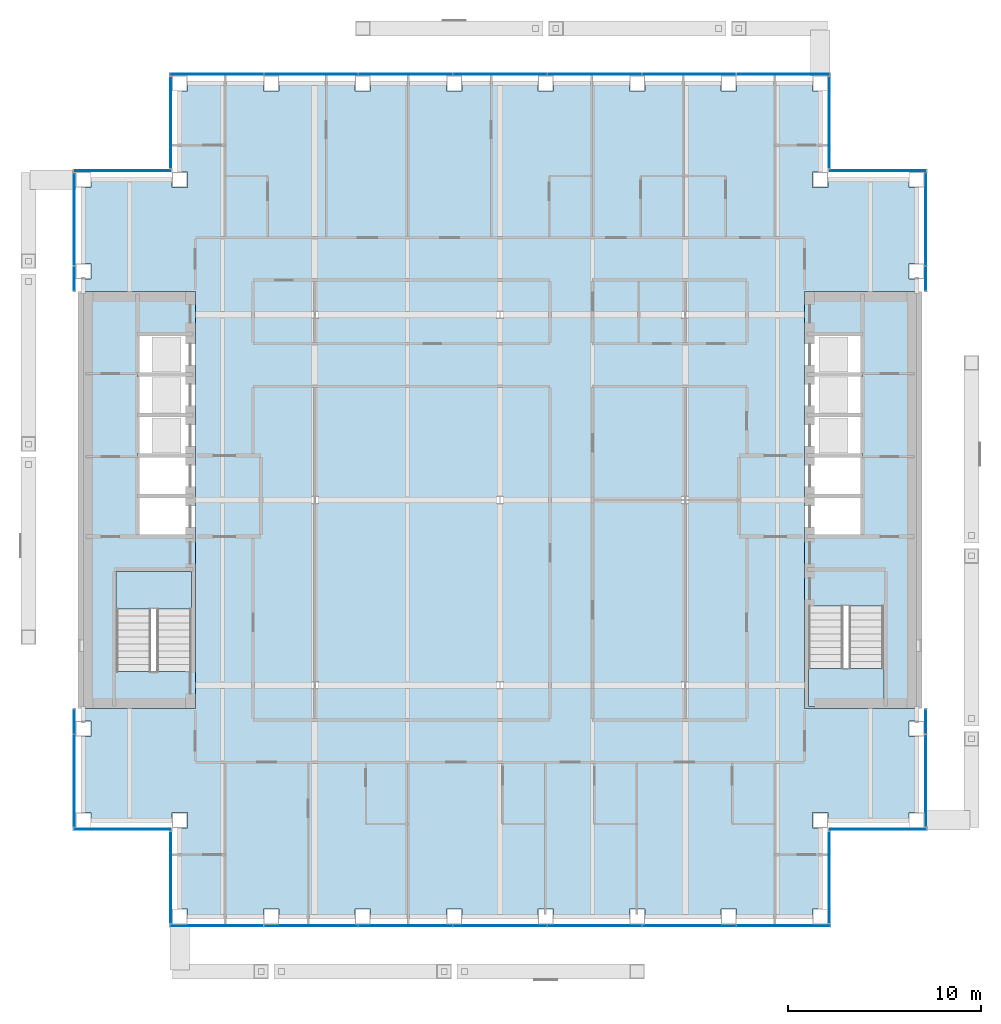
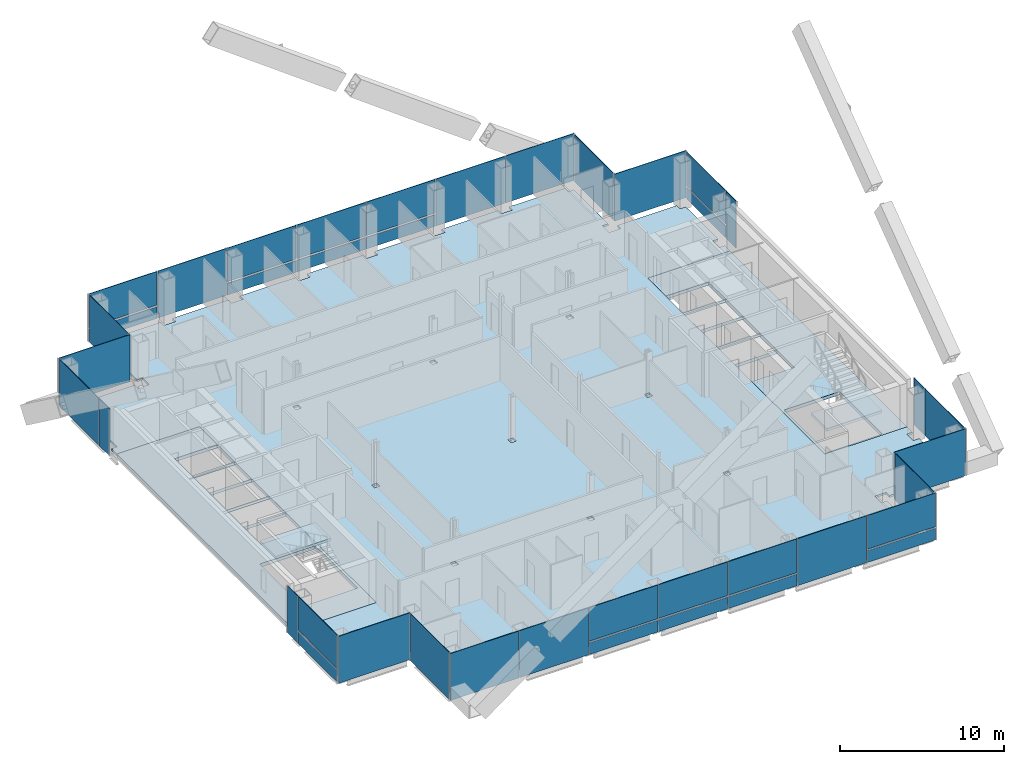
# One storey, part 11 of 18: 40 plates, 5 slabs, 16 elements without a shape of their own.
"""IFC4 building model written with IfcOpenShell, lengths in metres."""

from ifc_helpers import new_model, si_unit, direction, frame, origin, origin_2d, place, context, subcontext, project, spatial, polyline, rectangle, outline, extrude, material, layer, layer_set, type_object, element, aggregate, save


model = new_model("IFC4")

# Units and contexts
model_context = context("Model", 3, precision=1e-05, world=origin(), true_north=direction((0.0, 1.0)))
body_context = subcontext(model_context, "Body", "Model", "MODEL_VIEW")
ifc_project = project(units=[si_unit("LENGTHUNIT", "METRE"), si_unit("AREAUNIT", "SQUARE_METRE"), si_unit("VOLUMEUNIT", "CUBIC_METRE"), si_unit("PLANEANGLEUNIT", "RADIAN"), si_unit("MASSUNIT", "GRAM", prefix="KILO")], contexts=[model_context])

# Site, building, storey
site_placement = place(None, origin())
site = spatial("IfcSite", under=ifc_project, at=site_placement, CompositionType="ELEMENT")
building_placement = place(site_placement, origin())
building = spatial("IfcBuilding", under=site, at=building_placement, Name="Cobrizo Arcos Hotel Tower", CompositionType="ELEMENT")
storey_placement = place(building_placement, frame((0.0, 0.0, 158.5)))
storey = spatial("IfcBuildingStorey", under=building, at=storey_placement, Name="L40", CompositionType="ELEMENT", Elevation=158.5)

# Curtain wall, plates
ifc_material_1 = material(Name="Aluminium 6063-T6 anodised bronze", Category="aluminium")
curtain_wall_type = type_object("IfcCurtainWallType", Name="CW-A guest facade", PredefinedType="NOTDEFINED", material=ifc_material_1)
curtain_wall_1_placement = place(storey_placement, origin())
curtain_wall_1 = element("IfcCurtainWall", 1, at=curtain_wall_1_placement, inside=storey, type_object=curtain_wall_type, Name="CW-A L40 S face", PredefinedType="NOTDEFINED")
ifc_material_2 = material(Name="Glass clear laminated low-e", Category="glass")
ifc_layer_1 = layer(ifc_material_2, 0.0400390625)
ifc_layer_set_1 = layer_set([ifc_layer_1], Name="CW-A glass panel")
plate_type_1 = type_object("IfcPlateType", Name="CW-A glass panel", PredefinedType="CURTAIN_PANEL", material=ifc_layer_set_1)
plate_1_placement = place(storey_placement, frame((-4.89990234375, -22.074951171875, 0.990234375), z_axis=(0.0, 0.0, 1.0), x_axis=(1.0, 0.0, 0.0)))
plate_1 = element("IfcPlate", 2, at=plate_1_placement, type_object=plate_type_1, Name="CW-A glass panel 1428", PredefinedType="CURTAIN_PANEL", context=body_context, shape_type="SweptSolid", body=[
    extrude(rectangle(XDim=4.840087890625, YDim=0.0400390625, at=origin_2d()), origin(), (0.0, 0.0, 1.0), 2.510009765625),
])
plate_2_placement = place(storey_placement, frame((0.0, -22.074951171875, 0.990234375), z_axis=(0.0, 0.0, 1.0), x_axis=(1.0, 0.0, 0.0)))
plate_2 = element("IfcPlate", 3, at=plate_2_placement, type_object=plate_type_1, Name="CW-A glass panel 1429", PredefinedType="CURTAIN_PANEL", context=body_context, shape_type="SweptSolid", body=[
    extrude(rectangle(XDim=4.840087890625, YDim=0.0400390625, at=origin_2d()), origin(), (0.0, 0.0, 1.0), 2.510009765625),
])
plate_3_placement = place(storey_placement, frame((4.89990234375, -22.074951171875, 0.990234375), z_axis=(0.0, 0.0, 1.0), x_axis=(1.0, 0.0, 0.0)))
plate_3 = element("IfcPlate", 4, at=plate_3_placement, type_object=plate_type_1, Name="CW-A glass panel 1430", PredefinedType="CURTAIN_PANEL", context=body_context, shape_type="SweptSolid", body=[
    extrude(rectangle(XDim=4.840087890625, YDim=0.0400390625, at=origin_2d()), origin(), (0.0, 0.0, 1.0), 2.510009765625),
])
plate_4_placement = place(storey_placement, frame((14.68505859375, -22.074951171875, 0.990234375), z_axis=(0.0, 0.0, 1.0), x_axis=(1.0, 0.0, 0.0)))
plate_4 = element("IfcPlate", 5, at=plate_4_placement, type_object=plate_type_1, Name="CW-A glass panel 1432", PredefinedType="CURTAIN_PANEL", context=body_context, shape_type="SweptSolid", body=[
    extrude(rectangle(XDim=4.81005859375, YDim=0.0400390625, at=origin_2d()), origin(), (0.0, 0.0, 1.0), 2.510009765625),
])

# Curtain wall, plate
curtain_wall_2_placement = place(storey_placement, origin())
curtain_wall_2 = element("IfcCurtainWall", 6, at=curtain_wall_2_placement, inside=storey, type_object=curtain_wall_type, Name="CW-A L40 E face", PredefinedType="NOTDEFINED")
plate_5_placement = place(storey_placement, frame((22.074951171875, 14.556396484375, 0.990234375), z_axis=(0.0, 0.0, 1.0), x_axis=(0.0, 1.0, 0.0)))
plate_5 = element("IfcPlate", 7, at=plate_5_placement, type_object=plate_type_1, Name="CW-A glass panel 1438", PredefinedType="CURTAIN_PANEL", context=body_context, shape_type="SweptSolid", body=[
    extrude(rectangle(XDim=4.76708984375, YDim=0.0400390625, at=origin_2d()), origin(), (0.0, 0.0, 1.0), 2.510009765625),
])

# Curtain wall, plates
curtain_wall_3_placement = place(storey_placement, origin())
curtain_wall_3 = element("IfcCurtainWall", 8, at=curtain_wall_3_placement, inside=storey, type_object=curtain_wall_type, Name="CW-A L40 N face", PredefinedType="NOTDEFINED")
plate_6_placement = place(storey_placement, frame((4.89990234375, 22.074951171875, 0.990234375), z_axis=(0.0, 0.0, 1.0), x_axis=(-1.0, 0.0, 0.0)))
plate_6 = element("IfcPlate", 9, at=plate_6_placement, type_object=plate_type_1, Name="CW-A glass panel 1443", PredefinedType="CURTAIN_PANEL", context=body_context, shape_type="SweptSolid", body=[
    extrude(rectangle(XDim=4.840087890625, YDim=0.0400390625, at=origin_2d()), origin(), (0.0, 0.0, 1.0), 2.510009765625),
])
plate_7_placement = place(storey_placement, frame((0.0, 22.074951171875, 0.990234375), z_axis=(0.0, 0.0, 1.0), x_axis=(-1.0, 0.0, 0.0)))
plate_7 = element("IfcPlate", 10, at=plate_7_placement, type_object=plate_type_1, Name="CW-A glass panel 1444", PredefinedType="CURTAIN_PANEL", context=body_context, shape_type="SweptSolid", body=[
    extrude(rectangle(XDim=4.840087890625, YDim=0.0400390625, at=origin_2d()), origin(), (0.0, 0.0, 1.0), 2.510009765625),
])
plate_8_placement = place(storey_placement, frame((-4.89990234375, 22.074951171875, 0.990234375), z_axis=(0.0, 0.0, 1.0), x_axis=(-1.0, 0.0, 0.0)))
plate_8 = element("IfcPlate", 11, at=plate_8_placement, type_object=plate_type_1, Name="CW-A glass panel 1445", PredefinedType="CURTAIN_PANEL", context=body_context, shape_type="SweptSolid", body=[
    extrude(rectangle(XDim=4.840087890625, YDim=0.0400390625, at=origin_2d()), origin(), (0.0, 0.0, 1.0), 2.510009765625),
])
plate_9_placement = place(storey_placement, frame((-14.68505859375, 22.074951171875, 0.990234375), z_axis=(0.0, 0.0, 1.0), x_axis=(-1.0, 0.0, 0.0)))
plate_9 = element("IfcPlate", 12, at=plate_9_placement, type_object=plate_type_1, Name="CW-A glass panel 1447", PredefinedType="CURTAIN_PANEL", context=body_context, shape_type="SweptSolid", body=[
    extrude(rectangle(XDim=4.81005859375, YDim=0.0400390625, at=origin_2d()), origin(), (0.0, 0.0, 1.0), 2.510009765625),
])

# Curtain wall, plate
curtain_wall_4_placement = place(storey_placement, origin())
curtain_wall_4 = element("IfcCurtainWall", 13, at=curtain_wall_4_placement, inside=storey, type_object=curtain_wall_type, Name="CW-A L40 W face", PredefinedType="NOTDEFINED")
plate_10_placement = place(storey_placement, frame((-22.074951171875, -14.556396484375, 0.990234375), z_axis=(0.0, 0.0, 1.0), x_axis=(0.0, -1.0, 0.0)))
plate_10 = element("IfcPlate", 14, at=plate_10_placement, type_object=plate_type_1, Name="CW-A glass panel 1453", PredefinedType="CURTAIN_PANEL", context=body_context, shape_type="SweptSolid", body=[
    extrude(rectangle(XDim=4.76708984375, YDim=0.0400390625, at=origin_2d()), origin(), (0.0, 0.0, 1.0), 2.510009765625),
])

# Plate
ifc_material_3 = material(Name="Aluminium composite panel pale metal", Category="aluminium")
ifc_layer_2 = layer(ifc_material_3, 0.0400390625)
ifc_layer_set_2 = layer_set([ifc_layer_2], Name="CW-A spandrel panel")
plate_type_2 = type_object("IfcPlateType", Name="CW-A spandrel panel", PredefinedType="CURTAIN_PANEL", material=ifc_layer_set_2)
plate_11_placement = place(storey_placement, frame((-14.68505859375, -22.074951171875, 0.0), z_axis=(0.0, 0.0, 1.0), x_axis=(1.0, 0.0, 0.0)))
plate_11 = element("IfcPlate", 15, at=plate_11_placement, type_object=plate_type_2, Name="CW-A spandrel panel 1426", PredefinedType="CURTAIN_PANEL", context=body_context, shape_type="SweptSolid", body=[
    extrude(rectangle(XDim=4.81005859375, YDim=0.0400390625, at=origin_2d()), origin(), (0.0, 0.0, 1.0), 3.5),
])

plate_12_placement = place(storey_placement, frame((-9.800048828125, -22.074951171875, 0.0), z_axis=(0.0, 0.0, 1.0), x_axis=(1.0, 0.0, 0.0)))
plate_12 = element("IfcPlate", 16, at=plate_12_placement, type_object=plate_type_2, Name="CW-A spandrel panel 1427", PredefinedType="CURTAIN_PANEL", context=body_context, shape_type="SweptSolid", body=[
    extrude(rectangle(XDim=4.840087890625, YDim=0.0400390625, at=origin_2d()), origin(), (0.0, 0.0, 1.0), 3.5),
])

plate_13_placement = place(storey_placement, frame((-4.89990234375, -22.074951171875, 0.0), z_axis=(0.0, 0.0, 1.0), x_axis=(1.0, 0.0, 0.0)))
plate_13 = element("IfcPlate", 17, at=plate_13_placement, type_object=plate_type_2, Name="CW-A spandrel panel 1428", PredefinedType="CURTAIN_PANEL", context=body_context, shape_type="SweptSolid", body=[
    extrude(rectangle(XDim=4.840087890625, YDim=0.0400390625, at=origin_2d()), origin(), (0.0, 0.0, 1.0), 0.8701171875),
])

plate_14_placement = place(storey_placement, frame((0.0, -22.074951171875, 0.0), z_axis=(0.0, 0.0, 1.0), x_axis=(1.0, 0.0, 0.0)))
plate_14 = element("IfcPlate", 18, at=plate_14_placement, type_object=plate_type_2, Name="CW-A spandrel panel 1429", PredefinedType="CURTAIN_PANEL", context=body_context, shape_type="SweptSolid", body=[
    extrude(rectangle(XDim=4.840087890625, YDim=0.0400390625, at=origin_2d()), origin(), (0.0, 0.0, 1.0), 0.8701171875),
])

plate_15_placement = place(storey_placement, frame((4.89990234375, -22.074951171875, 0.0), z_axis=(0.0, 0.0, 1.0), x_axis=(1.0, 0.0, 0.0)))
plate_15 = element("IfcPlate", 19, at=plate_15_placement, type_object=plate_type_2, Name="CW-A spandrel panel 1430", PredefinedType="CURTAIN_PANEL", context=body_context, shape_type="SweptSolid", body=[
    extrude(rectangle(XDim=4.840087890625, YDim=0.0400390625, at=origin_2d()), origin(), (0.0, 0.0, 1.0), 0.8701171875),
])

plate_16_placement = place(storey_placement, frame((9.800048828125, -22.074951171875, 0.0), z_axis=(0.0, 0.0, 1.0), x_axis=(1.0, 0.0, 0.0)))
plate_16 = element("IfcPlate", 20, at=plate_16_placement, type_object=plate_type_2, Name="CW-A spandrel panel 1431", PredefinedType="CURTAIN_PANEL", context=body_context, shape_type="SweptSolid", body=[
    extrude(rectangle(XDim=4.840087890625, YDim=0.0400390625, at=origin_2d()), origin(), (0.0, 0.0, 1.0), 3.5),
])

plate_17_placement = place(storey_placement, frame((14.68505859375, -22.074951171875, 0.0), z_axis=(0.0, 0.0, 1.0), x_axis=(1.0, 0.0, 0.0)))
plate_17 = element("IfcPlate", 21, at=plate_17_placement, type_object=plate_type_2, Name="CW-A spandrel panel 1432", PredefinedType="CURTAIN_PANEL", context=body_context, shape_type="SweptSolid", body=[
    extrude(rectangle(XDim=4.81005859375, YDim=0.0400390625, at=origin_2d()), origin(), (0.0, 0.0, 1.0), 0.8701171875),
])

aggregate(curtain_wall_1, [plate_11, plate_12, plate_13, plate_1, plate_14, plate_2, plate_15, plate_3, plate_16, plate_17, plate_4])

# Curtain wall, plate
curtain_wall_5_placement = place(storey_placement, origin())
curtain_wall_5 = element("IfcCurtainWall", 22, at=curtain_wall_5_placement, inside=storey, type_object=curtain_wall_type, Name="CW-A L40 E face", PredefinedType="NOTDEFINED")
plate_18_placement = place(storey_placement, frame((17.074951171875, -19.574951171875, 0.0), z_axis=(0.0, 0.0, 1.0), x_axis=(0.0, 1.0, 0.0)))
plate_18 = element("IfcPlate", 23, at=plate_18_placement, type_object=plate_type_2, Name="CW-A spandrel panel 1433", PredefinedType="CURTAIN_PANEL", context=body_context, shape_type="SweptSolid", body=[
    extrude(rectangle(XDim=4.72998046875, YDim=0.0400390625, at=origin_2d()), origin(), (0.0, 0.0, 1.0), 3.5),
])
aggregate(curtain_wall_5, [plate_18])

curtain_wall_6_placement = place(storey_placement, origin())
curtain_wall_6 = element("IfcCurtainWall", 24, at=curtain_wall_6_placement, inside=storey, type_object=curtain_wall_type, Name="CW-A L40 S face", PredefinedType="NOTDEFINED")
plate_19_placement = place(storey_placement, frame((19.574951171875, -17.074951171875, 0.0), z_axis=(0.0, 0.0, 1.0), x_axis=(1.0, 0.0, 0.0)))
plate_19 = element("IfcPlate", 25, at=plate_19_placement, type_object=plate_type_2, Name="CW-A spandrel panel 1434", PredefinedType="CURTAIN_PANEL", context=body_context, shape_type="SweptSolid", body=[
    extrude(rectangle(XDim=5.030029296875, YDim=0.0400390625, at=origin_2d()), origin(), (0.0, 0.0, 1.0), 3.5),
])
aggregate(curtain_wall_6, [plate_19])

# Curtain wall, plates
curtain_wall_7_placement = place(storey_placement, origin())
curtain_wall_7 = element("IfcCurtainWall", 26, at=curtain_wall_7_placement, inside=storey, type_object=curtain_wall_type, Name="CW-A L40 E face", PredefinedType="NOTDEFINED")
plate_20_placement = place(storey_placement, frame((22.074951171875, -14.556396484375, 0.0), z_axis=(0.0, 0.0, 1.0), x_axis=(0.0, 1.0, 0.0)))
plate_20 = element("IfcPlate", 27, at=plate_20_placement, type_object=plate_type_2, Name="CW-A spandrel panel 1435", PredefinedType="CURTAIN_PANEL", context=body_context, shape_type="SweptSolid", body=[
    extrude(rectangle(XDim=4.76708984375, YDim=0.0400390625, at=origin_2d()), origin(), (0.0, 0.0, 1.0), 3.5),
])
plate_21_placement = place(storey_placement, frame((22.074951171875, -11.486328125, 0.0), z_axis=(0.0, 0.0, 1.0), x_axis=(0.0, 1.0, 0.0)))
plate_21 = element("IfcPlate", 28, at=plate_21_placement, type_object=plate_type_2, Name="CW-A spandrel panel 1436", PredefinedType="CURTAIN_PANEL", context=body_context, shape_type="SweptSolid", body=[
    extrude(rectangle(XDim=1.2529296875, YDim=0.0400390625, at=origin_2d()), origin(), (0.0, 0.0, 1.0), 3.5),
])
aggregate(curtain_wall_7, [plate_20, plate_21])

# Plate
plate_22_placement = place(storey_placement, frame((22.074951171875, 11.486328125, 0.0), z_axis=(0.0, 0.0, 1.0), x_axis=(0.0, 1.0, 0.0)))
plate_22 = element("IfcPlate", 29, at=plate_22_placement, type_object=plate_type_2, Name="CW-A spandrel panel 1437", PredefinedType="CURTAIN_PANEL", context=body_context, shape_type="SweptSolid", body=[
    extrude(rectangle(XDim=1.2529296875, YDim=0.0400390625, at=origin_2d()), origin(), (0.0, 0.0, 1.0), 3.5),
])

plate_23_placement = place(storey_placement, frame((22.074951171875, 14.556396484375, 0.0), z_axis=(0.0, 0.0, 1.0), x_axis=(0.0, 1.0, 0.0)))
plate_23 = element("IfcPlate", 30, at=plate_23_placement, type_object=plate_type_2, Name="CW-A spandrel panel 1438", PredefinedType="CURTAIN_PANEL", context=body_context, shape_type="SweptSolid", body=[
    extrude(rectangle(XDim=4.76708984375, YDim=0.0400390625, at=origin_2d()), origin(), (0.0, 0.0, 1.0), 0.8701171875),
])

aggregate(curtain_wall_2, [plate_22, plate_23, plate_5])

# Curtain wall, plate
curtain_wall_8_placement = place(storey_placement, origin())
curtain_wall_8 = element("IfcCurtainWall", 31, at=curtain_wall_8_placement, inside=storey, type_object=curtain_wall_type, Name="CW-A L40 N face", PredefinedType="NOTDEFINED")
plate_24_placement = place(storey_placement, frame((19.574951171875, 17.074951171875, 0.0), z_axis=(0.0, 0.0, 1.0), x_axis=(-1.0, 0.0, 0.0)))
plate_24 = element("IfcPlate", 32, at=plate_24_placement, type_object=plate_type_2, Name="CW-A spandrel panel 1439", PredefinedType="CURTAIN_PANEL", context=body_context, shape_type="SweptSolid", body=[
    extrude(rectangle(XDim=5.030029296875, YDim=0.0400390625, at=origin_2d()), origin(), (0.0, 0.0, 1.0), 3.5),
])
aggregate(curtain_wall_8, [plate_24])

curtain_wall_9_placement = place(storey_placement, origin())
curtain_wall_9 = element("IfcCurtainWall", 33, at=curtain_wall_9_placement, inside=storey, type_object=curtain_wall_type, Name="CW-A L40 E face", PredefinedType="NOTDEFINED")
plate_25_placement = place(storey_placement, frame((17.074951171875, 19.574951171875, 0.0), z_axis=(0.0, 0.0, 1.0), x_axis=(0.0, 1.0, 0.0)))
plate_25 = element("IfcPlate", 34, at=plate_25_placement, type_object=plate_type_2, Name="CW-A spandrel panel 1440", PredefinedType="CURTAIN_PANEL", context=body_context, shape_type="SweptSolid", body=[
    extrude(rectangle(XDim=4.72998046875, YDim=0.0400390625, at=origin_2d()), origin(), (0.0, 0.0, 1.0), 3.5),
])
aggregate(curtain_wall_9, [plate_25])

# Plate
plate_26_placement = place(storey_placement, frame((14.68505859375, 22.074951171875, 0.0), z_axis=(0.0, 0.0, 1.0), x_axis=(-1.0, 0.0, 0.0)))
plate_26 = element("IfcPlate", 35, at=plate_26_placement, type_object=plate_type_2, Name="CW-A spandrel panel 1441", PredefinedType="CURTAIN_PANEL", context=body_context, shape_type="SweptSolid", body=[
    extrude(rectangle(XDim=4.81005859375, YDim=0.0400390625, at=origin_2d()), origin(), (0.0, 0.0, 1.0), 3.5),
])

plate_27_placement = place(storey_placement, frame((9.800048828125, 22.074951171875, 0.0), z_axis=(0.0, 0.0, 1.0), x_axis=(-1.0, 0.0, 0.0)))
plate_27 = element("IfcPlate", 36, at=plate_27_placement, type_object=plate_type_2, Name="CW-A spandrel panel 1442", PredefinedType="CURTAIN_PANEL", context=body_context, shape_type="SweptSolid", body=[
    extrude(rectangle(XDim=4.840087890625, YDim=0.0400390625, at=origin_2d()), origin(), (0.0, 0.0, 1.0), 3.5),
])

plate_28_placement = place(storey_placement, frame((4.89990234375, 22.074951171875, 0.0), z_axis=(0.0, 0.0, 1.0), x_axis=(-1.0, 0.0, 0.0)))
plate_28 = element("IfcPlate", 37, at=plate_28_placement, type_object=plate_type_2, Name="CW-A spandrel panel 1443", PredefinedType="CURTAIN_PANEL", context=body_context, shape_type="SweptSolid", body=[
    extrude(rectangle(XDim=4.840087890625, YDim=0.0400390625, at=origin_2d()), origin(), (0.0, 0.0, 1.0), 0.8701171875),
])

plate_29_placement = place(storey_placement, frame((0.0, 22.074951171875, 0.0), z_axis=(0.0, 0.0, 1.0), x_axis=(-1.0, 0.0, 0.0)))
plate_29 = element("IfcPlate", 38, at=plate_29_placement, type_object=plate_type_2, Name="CW-A spandrel panel 1444", PredefinedType="CURTAIN_PANEL", context=body_context, shape_type="SweptSolid", body=[
    extrude(rectangle(XDim=4.840087890625, YDim=0.0400390625, at=origin_2d()), origin(), (0.0, 0.0, 1.0), 0.8701171875),
])

plate_30_placement = place(storey_placement, frame((-4.89990234375, 22.074951171875, 0.0), z_axis=(0.0, 0.0, 1.0), x_axis=(-1.0, 0.0, 0.0)))
plate_30 = element("IfcPlate", 39, at=plate_30_placement, type_object=plate_type_2, Name="CW-A spandrel panel 1445", PredefinedType="CURTAIN_PANEL", context=body_context, shape_type="SweptSolid", body=[
    extrude(rectangle(XDim=4.840087890625, YDim=0.0400390625, at=origin_2d()), origin(), (0.0, 0.0, 1.0), 0.8701171875),
])

plate_31_placement = place(storey_placement, frame((-9.800048828125, 22.074951171875, 0.0), z_axis=(0.0, 0.0, 1.0), x_axis=(-1.0, 0.0, 0.0)))
plate_31 = element("IfcPlate", 40, at=plate_31_placement, type_object=plate_type_2, Name="CW-A spandrel panel 1446", PredefinedType="CURTAIN_PANEL", context=body_context, shape_type="SweptSolid", body=[
    extrude(rectangle(XDim=4.840087890625, YDim=0.0400390625, at=origin_2d()), origin(), (0.0, 0.0, 1.0), 3.5),
])

plate_32_placement = place(storey_placement, frame((-14.68505859375, 22.074951171875, 0.0), z_axis=(0.0, 0.0, 1.0), x_axis=(-1.0, 0.0, 0.0)))
plate_32 = element("IfcPlate", 41, at=plate_32_placement, type_object=plate_type_2, Name="CW-A spandrel panel 1447", PredefinedType="CURTAIN_PANEL", context=body_context, shape_type="SweptSolid", body=[
    extrude(rectangle(XDim=4.81005859375, YDim=0.0400390625, at=origin_2d()), origin(), (0.0, 0.0, 1.0), 0.8701171875),
])

aggregate(curtain_wall_3, [plate_26, plate_27, plate_28, plate_6, plate_29, plate_7, plate_30, plate_8, plate_31, plate_32, plate_9])

# Curtain wall, plate
curtain_wall_10_placement = place(storey_placement, origin())
curtain_wall_10 = element("IfcCurtainWall", 42, at=curtain_wall_10_placement, inside=storey, type_object=curtain_wall_type, Name="CW-A L40 W face", PredefinedType="NOTDEFINED")
plate_33_placement = place(storey_placement, frame((-17.074951171875, 19.574951171875, 0.0), z_axis=(0.0, 0.0, 1.0), x_axis=(0.0, -1.0, 0.0)))
plate_33 = element("IfcPlate", 43, at=plate_33_placement, type_object=plate_type_2, Name="CW-A spandrel panel 1448", PredefinedType="CURTAIN_PANEL", context=body_context, shape_type="SweptSolid", body=[
    extrude(rectangle(XDim=4.72998046875, YDim=0.0400390625, at=origin_2d()), origin(), (0.0, 0.0, 1.0), 3.5),
])
aggregate(curtain_wall_10, [plate_33])

curtain_wall_11_placement = place(storey_placement, origin())
curtain_wall_11 = element("IfcCurtainWall", 44, at=curtain_wall_11_placement, inside=storey, type_object=curtain_wall_type, Name="CW-A L40 N face", PredefinedType="NOTDEFINED")
plate_34_placement = place(storey_placement, frame((-19.574951171875, 17.074951171875, 0.0), z_axis=(0.0, 0.0, 1.0), x_axis=(-1.0, 0.0, 0.0)))
plate_34 = element("IfcPlate", 45, at=plate_34_placement, type_object=plate_type_2, Name="CW-A spandrel panel 1449", PredefinedType="CURTAIN_PANEL", context=body_context, shape_type="SweptSolid", body=[
    extrude(rectangle(XDim=5.030029296875, YDim=0.0400390625, at=origin_2d()), origin(), (0.0, 0.0, 1.0), 3.5),
])
aggregate(curtain_wall_11, [plate_34])

# Curtain wall, plates
curtain_wall_12_placement = place(storey_placement, origin())
curtain_wall_12 = element("IfcCurtainWall", 46, at=curtain_wall_12_placement, inside=storey, type_object=curtain_wall_type, Name="CW-A L40 W face", PredefinedType="NOTDEFINED")
plate_35_placement = place(storey_placement, frame((-22.074951171875, 14.556396484375, 0.0), z_axis=(0.0, 0.0, 1.0), x_axis=(0.0, -1.0, 0.0)))
plate_35 = element("IfcPlate", 47, at=plate_35_placement, type_object=plate_type_2, Name="CW-A spandrel panel 1450", PredefinedType="CURTAIN_PANEL", context=body_context, shape_type="SweptSolid", body=[
    extrude(rectangle(XDim=4.76708984375, YDim=0.0400390625, at=origin_2d()), origin(), (0.0, 0.0, 1.0), 3.5),
])
plate_36_placement = place(storey_placement, frame((-22.074951171875, 11.486328125, 0.0), z_axis=(0.0, 0.0, 1.0), x_axis=(0.0, -1.0, 0.0)))
plate_36 = element("IfcPlate", 48, at=plate_36_placement, type_object=plate_type_2, Name="CW-A spandrel panel 1451", PredefinedType="CURTAIN_PANEL", context=body_context, shape_type="SweptSolid", body=[
    extrude(rectangle(XDim=1.2529296875, YDim=0.0400390625, at=origin_2d()), origin(), (0.0, 0.0, 1.0), 3.5),
])
aggregate(curtain_wall_12, [plate_35, plate_36])

# Plate
plate_37_placement = place(storey_placement, frame((-22.074951171875, -11.486328125, 0.0), z_axis=(0.0, 0.0, 1.0), x_axis=(0.0, -1.0, 0.0)))
plate_37 = element("IfcPlate", 49, at=plate_37_placement, type_object=plate_type_2, Name="CW-A spandrel panel 1452", PredefinedType="CURTAIN_PANEL", context=body_context, shape_type="SweptSolid", body=[
    extrude(rectangle(XDim=1.2529296875, YDim=0.0400390625, at=origin_2d()), origin(), (0.0, 0.0, 1.0), 3.5),
])

plate_38_placement = place(storey_placement, frame((-22.074951171875, -14.556396484375, 0.0), z_axis=(0.0, 0.0, 1.0), x_axis=(0.0, -1.0, 0.0)))
plate_38 = element("IfcPlate", 50, at=plate_38_placement, type_object=plate_type_2, Name="CW-A spandrel panel 1453", PredefinedType="CURTAIN_PANEL", context=body_context, shape_type="SweptSolid", body=[
    extrude(rectangle(XDim=4.76708984375, YDim=0.0400390625, at=origin_2d()), origin(), (0.0, 0.0, 1.0), 0.8701171875),
])

aggregate(curtain_wall_4, [plate_37, plate_38, plate_10])

# Curtain wall, plate
curtain_wall_13_placement = place(storey_placement, origin())
curtain_wall_13 = element("IfcCurtainWall", 51, at=curtain_wall_13_placement, inside=storey, type_object=curtain_wall_type, Name="CW-A L40 S face", PredefinedType="NOTDEFINED")
plate_39_placement = place(storey_placement, frame((-19.574951171875, -17.074951171875, 0.0), z_axis=(0.0, 0.0, 1.0), x_axis=(1.0, 0.0, 0.0)))
plate_39 = element("IfcPlate", 52, at=plate_39_placement, type_object=plate_type_2, Name="CW-A spandrel panel 1454", PredefinedType="CURTAIN_PANEL", context=body_context, shape_type="SweptSolid", body=[
    extrude(rectangle(XDim=5.030029296875, YDim=0.0400390625, at=origin_2d()), origin(), (0.0, 0.0, 1.0), 3.5),
])
aggregate(curtain_wall_13, [plate_39])

curtain_wall_14_placement = place(storey_placement, origin())
curtain_wall_14 = element("IfcCurtainWall", 53, at=curtain_wall_14_placement, inside=storey, type_object=curtain_wall_type, Name="CW-A L40 W face", PredefinedType="NOTDEFINED")
plate_40_placement = place(storey_placement, frame((-17.074951171875, -19.574951171875, 0.0), z_axis=(0.0, 0.0, 1.0), x_axis=(0.0, -1.0, 0.0)))
plate_40 = element("IfcPlate", 54, at=plate_40_placement, type_object=plate_type_2, Name="CW-A spandrel panel 1455", PredefinedType="CURTAIN_PANEL", context=body_context, shape_type="SweptSolid", body=[
    extrude(rectangle(XDim=4.72998046875, YDim=0.0400390625, at=origin_2d()), origin(), (0.0, 0.0, 1.0), 3.5),
])
aggregate(curtain_wall_14, [plate_40])

# Slabs
ifc_material_4 = material(Name="Concrete f'c 35 MPa", Category="concrete")
ifc_layer_3 = layer(ifc_material_4, 0.14990234375)
ifc_layer_set_3 = layer_set([ifc_layer_3], Name="Composite floor slab 150 f'c 35")
slab_type_1 = type_object("IfcSlabType", Name="Composite floor slab 150 f'c 35", PredefinedType="FLOOR", material=ifc_layer_set_3)
slab_1_placement = place(storey_placement, frame((0.0, 0.0, -0.14990234375)))
element("IfcSlab", 55, at=slab_1_placement, inside=storey, type_object=slab_type_1, Name="Floor slab S5, L40, no. 01", PredefinedType="FLOOR", context=body_context, shape_type="SweptSolid", body=[
    extrude(outline(polyline([(-16.199951171875, -21.60009765625), (-16.199951171875, -21.199951171875), (-16.60009765625, -21.199951171875), (-16.60009765625, -17.0), (-16.199951171875, -17.0), (-16.199951171875, -16.199951171875), (-17.0, -16.199951171875), (-17.0, -16.60009765625), (-21.199951171875, -16.60009765625), (-21.199951171875, -16.199951171875), (-21.60009765625, -16.199951171875), (-21.60009765625, -12.257080078125), (-21.199951171875, -12.257080078125), (-21.199951171875, -11.45703125), (-21.60009765625, -11.45703125), (-21.60009765625, -10.800048828125), (-15.800048828125, -10.800048828125), (-15.800048828125, 10.800048828125), (-21.60009765625, 10.800048828125), (-21.60009765625, 11.45703125), (-21.199951171875, 11.45703125), (-21.199951171875, 12.257080078125), (-21.60009765625, 12.257080078125), (-21.60009765625, 16.199951171875), (-21.199951171875, 16.199951171875), (-21.199951171875, 16.60009765625), (-17.0, 16.60009765625), (-17.0, 16.199951171875), (-16.199951171875, 16.199951171875), (-16.199951171875, 17.0), (-16.60009765625, 17.0), (-16.60009765625, 21.199951171875), (-16.199951171875, 21.199951171875), (-16.199951171875, 21.60009765625), (-12.257080078125, 21.60009765625), (-12.257080078125, 21.199951171875), (-11.45703125, 21.199951171875), (-11.45703125, 21.60009765625), (-7.513916015625, 21.60009765625), (-7.513916015625, 21.199951171875), (-6.714111328125, 21.199951171875), (-6.714111328125, 21.60009765625), (-2.77099609375, 21.60009765625), (-2.77099609375, 21.199951171875), (-1.970947265625, 21.199951171875), (-1.970947265625, 21.60009765625), (1.970947265625, 21.60009765625), (1.970947265625, 21.199951171875), (2.77099609375, 21.199951171875), (2.77099609375, 21.60009765625), (6.714111328125, 21.60009765625), (6.714111328125, 21.199951171875), (7.513916015625, 21.199951171875), (7.513916015625, 21.60009765625), (11.45703125, 21.60009765625), (11.45703125, 21.199951171875), (12.257080078125, 21.199951171875), (12.257080078125, 21.60009765625), (16.199951171875, 21.60009765625), (16.199951171875, 21.199951171875), (16.60009765625, 21.199951171875), (16.60009765625, 17.0), (16.199951171875, 17.0), (16.199951171875, 16.199951171875), (17.0, 16.199951171875), (17.0, 16.60009765625), (21.199951171875, 16.60009765625), (21.199951171875, 16.199951171875), (21.60009765625, 16.199951171875), (21.60009765625, 12.257080078125), (21.199951171875, 12.257080078125), (21.199951171875, 11.45703125), (21.60009765625, 11.45703125), (21.60009765625, 10.800048828125), (15.800048828125, 10.800048828125), (15.800048828125, -10.800048828125), (21.60009765625, -10.800048828125), (21.60009765625, -11.45703125), (21.199951171875, -11.45703125), (21.199951171875, -12.257080078125), (21.60009765625, -12.257080078125), (21.60009765625, -16.199951171875), (21.199951171875, -16.199951171875), (21.199951171875, -16.60009765625), (17.0, -16.60009765625), (17.0, -16.199951171875), (16.199951171875, -16.199951171875), (16.199951171875, -17.0), (16.60009765625, -17.0), (16.60009765625, -21.199951171875), (16.199951171875, -21.199951171875), (16.199951171875, -21.60009765625), (12.257080078125, -21.60009765625), (12.257080078125, -21.199951171875), (11.45703125, -21.199951171875), (11.45703125, -21.60009765625), (7.513916015625, -21.60009765625), (7.513916015625, -21.199951171875), (6.714111328125, -21.199951171875), (6.714111328125, -21.60009765625), (2.77099609375, -21.60009765625), (2.77099609375, -21.199951171875), (1.970947265625, -21.199951171875), (1.970947265625, -21.60009765625), (-1.970947265625, -21.60009765625), (-1.970947265625, -21.199951171875), (-2.77099609375, -21.199951171875), (-2.77099609375, -21.60009765625), (-6.714111328125, -21.60009765625), (-6.714111328125, -21.199951171875), (-7.513916015625, -21.199951171875), (-7.513916015625, -21.60009765625), (-11.45703125, -21.60009765625), (-11.45703125, -21.199951171875), (-12.257080078125, -21.199951171875), (-12.257080078125, -21.60009765625), (-16.199951171875, -21.60009765625)]), holes=[polyline([(-0.186767578125, -9.78662109375), (0.186767578125, -9.78662109375), (0.186767578125, -9.413330078125), (-0.186767578125, -9.413330078125), (-0.186767578125, -9.78662109375)]), polyline([(-9.78662109375, -9.78662109375), (-9.413330078125, -9.78662109375), (-9.413330078125, -9.413330078125), (-9.78662109375, -9.413330078125), (-9.78662109375, -9.78662109375)]), polyline([(-9.413330078125, -0.186767578125), (-9.413330078125, 0.186767578125), (-9.78662109375, 0.186767578125), (-9.78662109375, -0.186767578125), (-9.413330078125, -0.186767578125)]), polyline([(0.186767578125, -0.186767578125), (0.186767578125, 0.186767578125), (-0.186767578125, 0.186767578125), (-0.186767578125, -0.186767578125), (0.186767578125, -0.186767578125)]), polyline([(-9.78662109375, 9.413330078125), (-9.413330078125, 9.413330078125), (-9.413330078125, 9.78662109375), (-9.78662109375, 9.78662109375), (-9.78662109375, 9.413330078125)]), polyline([(9.413330078125, -9.78662109375), (9.78662109375, -9.78662109375), (9.78662109375, -9.413330078125), (9.413330078125, -9.413330078125), (9.413330078125, -9.78662109375)]), polyline([(9.413330078125, -0.186767578125), (9.78662109375, -0.186767578125), (9.78662109375, 0.186767578125), (9.413330078125, 0.186767578125), (9.413330078125, -0.186767578125)]), polyline([(9.78662109375, 9.413330078125), (9.78662109375, 9.78662109375), (9.413330078125, 9.78662109375), (9.413330078125, 9.413330078125), (9.78662109375, 9.413330078125)]), polyline([(0.186767578125, 9.413330078125), (0.186767578125, 9.78662109375), (-0.186767578125, 9.78662109375), (-0.186767578125, 9.413330078125), (0.186767578125, 9.413330078125)])]), origin(), (0.0, 0.0, 1.0), 0.14990234375),
])
ifc_material_5 = material(Name="Concrete f'c 50 MPa", Category="concrete")
ifc_layer_4 = layer(ifc_material_5, 0.25)
ifc_layer_set_4 = layer_set([ifc_layer_4], Name="RC core floor slab 250 f'c 50")
slab_type_2 = type_object("IfcSlabType", Name="RC core floor slab 250 f'c 50", PredefinedType="FLOOR", material=ifc_layer_set_4)
slab_2_placement = place(storey_placement, frame((0.0, 0.0, -0.25)))
element("IfcSlab", 56, at=slab_2_placement, inside=storey, type_object=slab_type_2, Name="Core floor slab CS5, east core, L40", PredefinedType="FLOOR", context=body_context, shape_type="SweptSolid", body=[
    extrude(outline(polyline([(15.800048828125, 10.800048828125), (21.60009765625, 10.800048828125), (21.60009765625, -10.800048828125), (15.800048828125, -10.800048828125), (15.800048828125, 10.800048828125)]), holes=[polyline([(19.89794921875, -10.697998046875), (19.89794921875, -5.501953125), (16.001953125, -5.501953125), (16.001953125, -10.697998046875), (19.89794921875, -10.697998046875)]), polyline([(15.802001953125, 0.197998046875), (15.802001953125, -1.89794921875), (18.798095703125, -1.89794921875), (18.798095703125, 0.197998046875), (15.802001953125, 0.197998046875)]), polyline([(15.802001953125, 2.298095703125), (15.802001953125, 0.201904296875), (18.798095703125, 0.201904296875), (18.798095703125, 2.298095703125), (15.802001953125, 2.298095703125)]), polyline([(15.802001953125, 4.39794921875), (15.802001953125, 2.302001953125), (18.798095703125, 2.302001953125), (18.798095703125, 4.39794921875), (15.802001953125, 4.39794921875)]), polyline([(18.798095703125, 6.498046875), (15.802001953125, 6.498046875), (15.802001953125, 4.402099609375), (18.798095703125, 4.402099609375), (18.798095703125, 6.498046875)]), polyline([(18.798095703125, 8.597900390625), (15.802001953125, 8.597900390625), (15.802001953125, 6.501953125), (18.798095703125, 6.501953125), (18.798095703125, 8.597900390625)])]), origin(), (0.0, 0.0, 1.0), 0.25),
])
slab_3_placement = place(storey_placement, frame((0.0, 0.0, -0.25)))
element("IfcSlab", 57, at=slab_3_placement, inside=storey, type_object=slab_type_2, Name="Core floor slab CS5, west core, L40", PredefinedType="FLOOR", context=body_context, shape_type="SweptSolid", body=[
    extrude(outline(polyline([(-21.60009765625, 10.800048828125), (-15.800048828125, 10.800048828125), (-15.800048828125, -10.800048828125), (-21.60009765625, -10.800048828125), (-21.60009765625, 10.800048828125)]), holes=[polyline([(-19.89794921875, -3.701904296875), (-19.89794921875, -8.89794921875), (-16.001953125, -8.89794921875), (-16.001953125, -3.701904296875), (-19.89794921875, -3.701904296875)]), polyline([(-18.798095703125, 0.197998046875), (-18.798095703125, -1.89794921875), (-15.802001953125, -1.89794921875), (-15.802001953125, 0.197998046875), (-18.798095703125, 0.197998046875)]), polyline([(-18.798095703125, 2.298095703125), (-18.798095703125, 0.201904296875), (-15.802001953125, 0.201904296875), (-15.802001953125, 2.298095703125), (-18.798095703125, 2.298095703125)]), polyline([(-18.798095703125, 4.39794921875), (-18.798095703125, 2.302001953125), (-15.802001953125, 2.302001953125), (-15.802001953125, 4.39794921875), (-18.798095703125, 4.39794921875)]), polyline([(-15.802001953125, 6.498046875), (-18.798095703125, 6.498046875), (-18.798095703125, 4.402099609375), (-15.802001953125, 4.402099609375), (-15.802001953125, 6.498046875)]), polyline([(-15.802001953125, 8.597900390625), (-18.798095703125, 8.597900390625), (-18.798095703125, 6.501953125), (-15.802001953125, 6.501953125), (-15.802001953125, 8.597900390625)])]), origin(), (0.0, 0.0, 1.0), 0.25),
])

# Stair, slab
ifc_material_6 = material(Name="Concrete f'c 40 MPa", Category="concrete")
stair_type = type_object("IfcStairType", Name="Exit stair", PredefinedType="HALF_TURN_STAIR", material=ifc_material_6)
stair_1_placement = place(storey_placement, origin())
stair_1 = element("IfcStair", 58, at=stair_1_placement, inside=storey, type_object=stair_type, Name="L40 Exit stair ST-W", PredefinedType="HALF_TURN_STAIR")
ifc_layer_5 = layer(ifc_material_6, 0.199951171875)
ifc_layer_set_5 = layer_set([ifc_layer_5], Name="Stair landing")
slab_type_3 = type_object("IfcSlabType", Name="Stair landing", PredefinedType="LANDING", material=ifc_layer_set_5)
slab_4_placement = place(storey_placement, frame((0.0, 0.0, 1.550048828125)))
slab_4 = element("IfcSlab", 59, at=slab_4_placement, type_object=slab_type_3, Name="ST-W landing 1", PredefinedType="LANDING", context=body_context, shape_type="SweptSolid", body=[
    extrude(outline(polyline([(-16.0, -5.659912109375), (-16.0, -3.699951171875), (-19.89990234375, -3.699951171875), (-19.89990234375, -5.659912109375), (-16.0, -5.659912109375)])), origin(), (0.0, 0.0, 1.0), 0.199951171875),
])
aggregate(stair_1, [slab_4])

stair_2_placement = place(storey_placement, origin())
stair_2 = element("IfcStair", 60, at=stair_2_placement, inside=storey, type_object=stair_type, Name="L40 Exit stair ST-E", PredefinedType="HALF_TURN_STAIR")
slab_5_placement = place(storey_placement, frame((0.0, 0.0, 1.550048828125)))
slab_5 = element("IfcSlab", 61, at=slab_5_placement, type_object=slab_type_3, Name="ST-E landing 1", PredefinedType="LANDING", context=body_context, shape_type="SweptSolid", body=[
    extrude(outline(polyline([(16.0, -8.739990234375), (16.0, -10.699951171875), (19.89990234375, -10.699951171875), (19.89990234375, -8.739990234375), (16.0, -8.739990234375)])), origin(), (0.0, 0.0, 1.0), 0.199951171875),
])
aggregate(stair_2, [slab_5])

save(model, "model.ifc")
